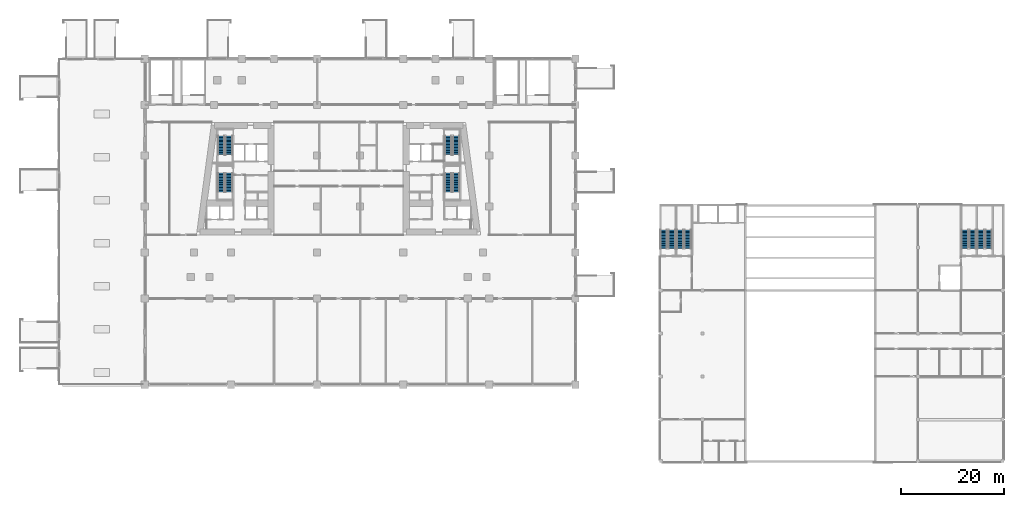
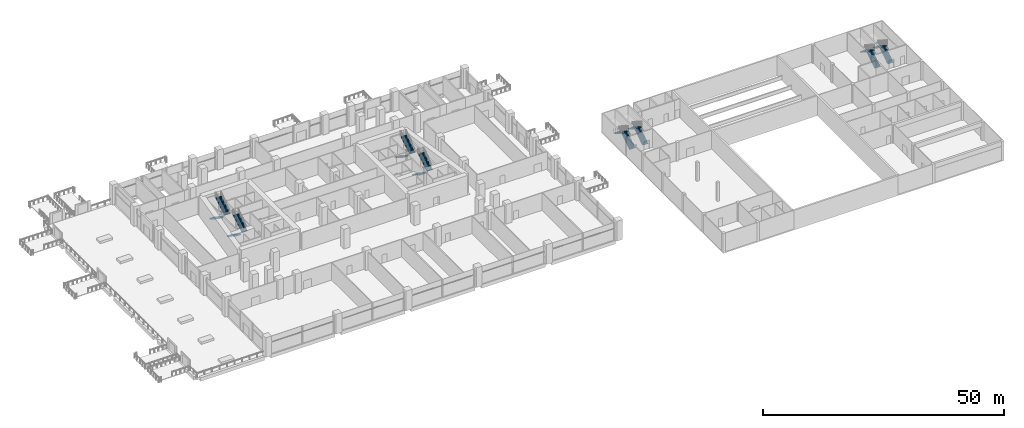
# One storey, part 26 of 33: 16 stair flights, 8 elements without a shape of their own.
"""IFC4 building model written with IfcOpenShell, lengths in metres."""

from ifc_helpers import new_model, si_unit, direction, frame, origin, place, context, subcontext, project, spatial, polyline, outline, extrude, material, type_object, element, aggregate, save


model = new_model("IFC4")

# Units and contexts
model_context = context("Model", 3, precision=1e-05, world=origin(), true_north=direction((0.0, 1.0)))
body_context = subcontext(model_context, "Body", "Model", "MODEL_VIEW")
ifc_project = project(units=[si_unit("LENGTHUNIT", "METRE"), si_unit("AREAUNIT", "SQUARE_METRE"), si_unit("VOLUMEUNIT", "CUBIC_METRE"), si_unit("PLANEANGLEUNIT", "RADIAN"), si_unit("MASSUNIT", "GRAM", prefix="KILO")], contexts=[model_context])

# Site, building, storey
site_placement = place(None, origin())
site = spatial("IfcSite", under=ifc_project, at=site_placement, CompositionType="ELEMENT")
building_placement = place(site_placement, origin())
building = spatial("IfcBuilding", under=site, at=building_placement, Name="Candeia Pilgrim Tower and Theatre", CompositionType="ELEMENT")
storey_placement = place(building_placement, frame((0.0, 0.0, 29.0)))
storey = spatial("IfcBuildingStorey", under=building, at=storey_placement, Name="L04", CompositionType="ELEMENT", Elevation=29.0)

# Stair, stair flights
ifc_material_1 = material(Name="Concrete C40/50", Category="concrete")
stair_type_1 = type_object("IfcStairType", Name="ST-TWR dog-leg escape stair", PredefinedType="HALF_TURN_STAIR", material=ifc_material_1)
stair_1_placement = place(storey_placement, origin())
stair_1 = element("IfcStair", 1, at=stair_1_placement, inside=storey, type_object=stair_type_1, Name="L04 Escape stair ST1", PredefinedType="HALF_TURN_STAIR")
stair_flight_type_1 = type_object("IfcStairFlightType", Name="SFL-RC stair flight", PredefinedType="STRAIGHT", material=ifc_material_1)
stair_flight_1_placement = place(storey_placement, frame((90.47705078125, 122.47509765625, 0.0), z_axis=(0.0, 0.0, 1.0), x_axis=(0.0, -1.0, 0.0)))
stair_flight_1 = element("IfcStairFlight", 2, at=stair_flight_1_placement, type_object=stair_flight_type_1, Name="ST1 flight 1", NumberOfRisers=14, NumberOfTreads=13, PredefinedType="STRAIGHT", RiserHeight=0.178571429, TreadLength=0.28, context=body_context, shape_type="SweptSolid", body=[
    extrude(outline(polyline([(0.0, 0.0), (0.0, 0.178466796875), (0.280029296875, 0.178466796875), (0.280029296875, 0.357177734375), (0.56005859375, 0.357177734375), (0.56005859375, 0.53564453125), (0.840087890625, 0.53564453125), (0.840087890625, 0.71435546875), (1.1201171875, 0.71435546875), (1.1201171875, 0.892822265625), (1.39990234375, 0.892822265625), (1.39990234375, 1.071533203125), (1.679931640625, 1.071533203125), (1.679931640625, 1.25), (1.9599609375, 1.25), (1.9599609375, 1.428466796875), (2.239990234375, 1.428466796875), (2.239990234375, 1.607177734375), (2.52001953125, 1.607177734375), (2.52001953125, 1.78564453125), (2.800048828125, 1.78564453125), (2.800048828125, 1.96435546875), (3.080078125, 1.96435546875), (3.080078125, 2.142822265625), (3.360107421875, 2.142822265625), (3.360107421875, 2.321533203125), (3.639892578125, 2.321533203125), (3.639892578125, 2.5), (3.639892578125, 2.1435546875), (0.27880859375, 0.0), (0.0, 0.0)])), frame((0.0, 0.675048828125, 0.0), z_axis=(0.0, -1.0, 0.0), x_axis=(1.0, 0.0, 0.0)), (0.0, 0.0, 1.0), 1.35009765625),
])
stair_flight_2_placement = place(storey_placement, frame((92.027099609375, 118.8349609375, 2.5), z_axis=(0.0, 0.0, 1.0), x_axis=(0.0, 1.0, 0.0)))
stair_flight_2 = element("IfcStairFlight", 3, at=stair_flight_2_placement, type_object=stair_flight_type_1, Name="ST1 flight 2", NumberOfRisers=14, NumberOfTreads=13, PredefinedType="STRAIGHT", RiserHeight=0.178571429, TreadLength=0.28, context=body_context, shape_type="SweptSolid", body=[
    extrude(outline(polyline([(0.0, 0.0), (0.0, 0.178466796875), (0.280029296875, 0.178466796875), (0.280029296875, 0.357177734375), (0.56005859375, 0.357177734375), (0.56005859375, 0.53564453125), (0.840087890625, 0.53564453125), (0.840087890625, 0.71435546875), (1.1201171875, 0.71435546875), (1.1201171875, 0.892822265625), (1.39990234375, 0.892822265625), (1.39990234375, 1.071533203125), (1.679931640625, 1.071533203125), (1.679931640625, 1.25), (1.9599609375, 1.25), (1.9599609375, 1.428466796875), (2.239990234375, 1.428466796875), (2.239990234375, 1.607177734375), (2.52001953125, 1.607177734375), (2.52001953125, 1.78564453125), (2.800048828125, 1.78564453125), (2.800048828125, 1.96435546875), (3.080078125, 1.96435546875), (3.080078125, 2.142822265625), (3.360107421875, 2.142822265625), (3.360107421875, 2.321533203125), (3.639892578125, 2.321533203125), (3.639892578125, 2.5), (3.639892578125, 2.1435546875), (0.27880859375, 0.0), (0.0, 0.0)])), frame((0.0, 0.675048828125, 0.0), z_axis=(0.0, -1.0, 0.0), x_axis=(1.0, 0.0, 0.0)), (0.0, 0.0, 1.0), 1.35009765625),
])
aggregate(stair_1, [stair_flight_1, stair_flight_2])

stair_2_placement = place(storey_placement, origin())
stair_2 = element("IfcStair", 4, at=stair_2_placement, inside=storey, type_object=stair_type_1, Name="L04 Escape stair ST2", PredefinedType="HALF_TURN_STAIR")
stair_flight_3_placement = place(storey_placement, frame((90.47705078125, 129.72509765625, 0.0), z_axis=(0.0, 0.0, 1.0), x_axis=(0.0, -1.0, 0.0)))
stair_flight_3 = element("IfcStairFlight", 5, at=stair_flight_3_placement, type_object=stair_flight_type_1, Name="ST2 flight 1", NumberOfRisers=14, NumberOfTreads=13, PredefinedType="STRAIGHT", RiserHeight=0.178571429, TreadLength=0.28, context=body_context, shape_type="SweptSolid", body=[
    extrude(outline(polyline([(0.0, 0.0), (0.0, 0.178466796875), (0.280029296875, 0.178466796875), (0.280029296875, 0.357177734375), (0.56005859375, 0.357177734375), (0.56005859375, 0.53564453125), (0.840087890625, 0.53564453125), (0.840087890625, 0.71435546875), (1.1201171875, 0.71435546875), (1.1201171875, 0.892822265625), (1.39990234375, 0.892822265625), (1.39990234375, 1.071533203125), (1.679931640625, 1.071533203125), (1.679931640625, 1.25), (1.9599609375, 1.25), (1.9599609375, 1.428466796875), (2.239990234375, 1.428466796875), (2.239990234375, 1.607177734375), (2.52001953125, 1.607177734375), (2.52001953125, 1.78564453125), (2.800048828125, 1.78564453125), (2.800048828125, 1.96435546875), (3.080078125, 1.96435546875), (3.080078125, 2.142822265625), (3.360107421875, 2.142822265625), (3.360107421875, 2.321533203125), (3.639892578125, 2.321533203125), (3.639892578125, 2.5), (3.639892578125, 2.1435546875), (0.27880859375, 0.0), (0.0, 0.0)])), frame((0.0, 0.675048828125, 0.0), z_axis=(0.0, -1.0, 0.0), x_axis=(1.0, 0.0, 0.0)), (0.0, 0.0, 1.0), 1.35009765625),
])
stair_flight_4_placement = place(storey_placement, frame((92.027099609375, 126.0849609375, 2.5), z_axis=(0.0, 0.0, 1.0), x_axis=(0.0, 1.0, 0.0)))
stair_flight_4 = element("IfcStairFlight", 6, at=stair_flight_4_placement, type_object=stair_flight_type_1, Name="ST2 flight 2", NumberOfRisers=14, NumberOfTreads=13, PredefinedType="STRAIGHT", RiserHeight=0.178571429, TreadLength=0.28, context=body_context, shape_type="SweptSolid", body=[
    extrude(outline(polyline([(0.0, 0.0), (0.0, 0.178466796875), (0.280029296875, 0.178466796875), (0.280029296875, 0.357177734375), (0.56005859375, 0.357177734375), (0.56005859375, 0.53564453125), (0.840087890625, 0.53564453125), (0.840087890625, 0.71435546875), (1.1201171875, 0.71435546875), (1.1201171875, 0.892822265625), (1.39990234375, 0.892822265625), (1.39990234375, 1.071533203125), (1.679931640625, 1.071533203125), (1.679931640625, 1.25), (1.9599609375, 1.25), (1.9599609375, 1.428466796875), (2.239990234375, 1.428466796875), (2.239990234375, 1.607177734375), (2.52001953125, 1.607177734375), (2.52001953125, 1.78564453125), (2.800048828125, 1.78564453125), (2.800048828125, 1.96435546875), (3.080078125, 1.96435546875), (3.080078125, 2.142822265625), (3.360107421875, 2.142822265625), (3.360107421875, 2.321533203125), (3.639892578125, 2.321533203125), (3.639892578125, 2.5), (3.639892578125, 2.1435546875), (0.27880859375, 0.0), (0.0, 0.0)])), frame((0.0, 0.675048828125, 0.0), z_axis=(0.0, -1.0, 0.0), x_axis=(1.0, 0.0, 0.0)), (0.0, 0.0, 1.0), 1.35009765625),
])
aggregate(stair_2, [stair_flight_3, stair_flight_4])

stair_3_placement = place(storey_placement, origin())
stair_3 = element("IfcStair", 7, at=stair_3_placement, inside=storey, type_object=stair_type_1, Name="L04 Escape stair ST3", PredefinedType="HALF_TURN_STAIR")
stair_flight_5_placement = place(storey_placement, frame((134.77294921875, 122.47509765625, 0.0), z_axis=(0.0, 0.0, 1.0), x_axis=(0.0, -1.0, 0.0)))
stair_flight_5 = element("IfcStairFlight", 8, at=stair_flight_5_placement, type_object=stair_flight_type_1, Name="ST3 flight 1", NumberOfRisers=14, NumberOfTreads=13, PredefinedType="STRAIGHT", RiserHeight=0.178571429, TreadLength=0.28, context=body_context, shape_type="SweptSolid", body=[
    extrude(outline(polyline([(0.0, 0.0), (0.0, 0.178466796875), (0.280029296875, 0.178466796875), (0.280029296875, 0.357177734375), (0.56005859375, 0.357177734375), (0.56005859375, 0.53564453125), (0.840087890625, 0.53564453125), (0.840087890625, 0.71435546875), (1.1201171875, 0.71435546875), (1.1201171875, 0.892822265625), (1.39990234375, 0.892822265625), (1.39990234375, 1.071533203125), (1.679931640625, 1.071533203125), (1.679931640625, 1.25), (1.9599609375, 1.25), (1.9599609375, 1.428466796875), (2.239990234375, 1.428466796875), (2.239990234375, 1.607177734375), (2.52001953125, 1.607177734375), (2.52001953125, 1.78564453125), (2.800048828125, 1.78564453125), (2.800048828125, 1.96435546875), (3.080078125, 1.96435546875), (3.080078125, 2.142822265625), (3.360107421875, 2.142822265625), (3.360107421875, 2.321533203125), (3.639892578125, 2.321533203125), (3.639892578125, 2.5), (3.639892578125, 2.1435546875), (0.27880859375, 0.0), (0.0, 0.0)])), frame((0.0, 0.675048828125, 0.0), z_axis=(0.0, -1.0, 0.0), x_axis=(1.0, 0.0, 0.0)), (0.0, 0.0, 1.0), 1.35009765625),
])
stair_flight_6_placement = place(storey_placement, frame((136.322998046875, 118.8349609375, 2.5), z_axis=(0.0, 0.0, 1.0), x_axis=(0.0, 1.0, 0.0)))
stair_flight_6 = element("IfcStairFlight", 9, at=stair_flight_6_placement, type_object=stair_flight_type_1, Name="ST3 flight 2", NumberOfRisers=14, NumberOfTreads=13, PredefinedType="STRAIGHT", RiserHeight=0.178571429, TreadLength=0.28, context=body_context, shape_type="SweptSolid", body=[
    extrude(outline(polyline([(0.0, 0.0), (0.0, 0.178466796875), (0.280029296875, 0.178466796875), (0.280029296875, 0.357177734375), (0.56005859375, 0.357177734375), (0.56005859375, 0.53564453125), (0.840087890625, 0.53564453125), (0.840087890625, 0.71435546875), (1.1201171875, 0.71435546875), (1.1201171875, 0.892822265625), (1.39990234375, 0.892822265625), (1.39990234375, 1.071533203125), (1.679931640625, 1.071533203125), (1.679931640625, 1.25), (1.9599609375, 1.25), (1.9599609375, 1.428466796875), (2.239990234375, 1.428466796875), (2.239990234375, 1.607177734375), (2.52001953125, 1.607177734375), (2.52001953125, 1.78564453125), (2.800048828125, 1.78564453125), (2.800048828125, 1.96435546875), (3.080078125, 1.96435546875), (3.080078125, 2.142822265625), (3.360107421875, 2.142822265625), (3.360107421875, 2.321533203125), (3.639892578125, 2.321533203125), (3.639892578125, 2.5), (3.639892578125, 2.1435546875), (0.27880859375, 0.0), (0.0, 0.0)])), frame((0.0, 0.675048828125, 0.0), z_axis=(0.0, -1.0, 0.0), x_axis=(1.0, 0.0, 0.0)), (0.0, 0.0, 1.0), 1.35009765625),
])
aggregate(stair_3, [stair_flight_5, stair_flight_6])

stair_4_placement = place(storey_placement, origin())
stair_4 = element("IfcStair", 10, at=stair_4_placement, inside=storey, type_object=stair_type_1, Name="L04 Escape stair ST4", PredefinedType="HALF_TURN_STAIR")
stair_flight_7_placement = place(storey_placement, frame((134.77294921875, 129.72509765625, 0.0), z_axis=(0.0, 0.0, 1.0), x_axis=(0.0, -1.0, 0.0)))
stair_flight_7 = element("IfcStairFlight", 11, at=stair_flight_7_placement, type_object=stair_flight_type_1, Name="ST4 flight 1", NumberOfRisers=14, NumberOfTreads=13, PredefinedType="STRAIGHT", RiserHeight=0.178571429, TreadLength=0.28, context=body_context, shape_type="SweptSolid", body=[
    extrude(outline(polyline([(0.0, 0.0), (0.0, 0.178466796875), (0.280029296875, 0.178466796875), (0.280029296875, 0.357177734375), (0.56005859375, 0.357177734375), (0.56005859375, 0.53564453125), (0.840087890625, 0.53564453125), (0.840087890625, 0.71435546875), (1.1201171875, 0.71435546875), (1.1201171875, 0.892822265625), (1.39990234375, 0.892822265625), (1.39990234375, 1.071533203125), (1.679931640625, 1.071533203125), (1.679931640625, 1.25), (1.9599609375, 1.25), (1.9599609375, 1.428466796875), (2.239990234375, 1.428466796875), (2.239990234375, 1.607177734375), (2.52001953125, 1.607177734375), (2.52001953125, 1.78564453125), (2.800048828125, 1.78564453125), (2.800048828125, 1.96435546875), (3.080078125, 1.96435546875), (3.080078125, 2.142822265625), (3.360107421875, 2.142822265625), (3.360107421875, 2.321533203125), (3.639892578125, 2.321533203125), (3.639892578125, 2.5), (3.639892578125, 2.1435546875), (0.27880859375, 0.0), (0.0, 0.0)])), frame((0.0, 0.675048828125, 0.0), z_axis=(0.0, -1.0, 0.0), x_axis=(1.0, 0.0, 0.0)), (0.0, 0.0, 1.0), 1.35009765625),
])
stair_flight_8_placement = place(storey_placement, frame((136.322998046875, 126.0849609375, 2.5), z_axis=(0.0, 0.0, 1.0), x_axis=(0.0, 1.0, 0.0)))
stair_flight_8 = element("IfcStairFlight", 12, at=stair_flight_8_placement, type_object=stair_flight_type_1, Name="ST4 flight 2", NumberOfRisers=14, NumberOfTreads=13, PredefinedType="STRAIGHT", RiserHeight=0.178571429, TreadLength=0.28, context=body_context, shape_type="SweptSolid", body=[
    extrude(outline(polyline([(0.0, 0.0), (0.0, 0.178466796875), (0.280029296875, 0.178466796875), (0.280029296875, 0.357177734375), (0.56005859375, 0.357177734375), (0.56005859375, 0.53564453125), (0.840087890625, 0.53564453125), (0.840087890625, 0.71435546875), (1.1201171875, 0.71435546875), (1.1201171875, 0.892822265625), (1.39990234375, 0.892822265625), (1.39990234375, 1.071533203125), (1.679931640625, 1.071533203125), (1.679931640625, 1.25), (1.9599609375, 1.25), (1.9599609375, 1.428466796875), (2.239990234375, 1.428466796875), (2.239990234375, 1.607177734375), (2.52001953125, 1.607177734375), (2.52001953125, 1.78564453125), (2.800048828125, 1.78564453125), (2.800048828125, 1.96435546875), (3.080078125, 1.96435546875), (3.080078125, 2.142822265625), (3.360107421875, 2.142822265625), (3.360107421875, 2.321533203125), (3.639892578125, 2.321533203125), (3.639892578125, 2.5), (3.639892578125, 2.1435546875), (0.27880859375, 0.0), (0.0, 0.0)])), frame((0.0, 0.675048828125, 0.0), z_axis=(0.0, -1.0, 0.0), x_axis=(1.0, 0.0, 0.0)), (0.0, 0.0, 1.0), 1.35009765625),
])
aggregate(stair_4, [stair_flight_7, stair_flight_8])

ifc_material_2 = material(Name="Concrete C35/45", Category="concrete")
stair_type_2 = type_object("IfcStairType", Name="Theatre stair", PredefinedType="HALF_TURN_STAIR", material=ifc_material_2)
stair_5_placement = place(storey_placement, origin())
stair_5 = element("IfcStair", 13, at=stair_5_placement, inside=storey, type_object=stair_type_2, Name="L04 Theatre stair S1", PredefinedType="HALF_TURN_STAIR")
stair_flight_type_2 = type_object("IfcStairFlightType", Name="Theatre stair flight", PredefinedType="STRAIGHT", material=ifc_material_2)
stair_flight_9_placement = place(storey_placement, frame((178.425048828125, 107.77490234375, 0.0), z_axis=(0.0, 0.0, 1.0), x_axis=(0.0, 1.0, 0.0)))
stair_flight_9 = element("IfcStairFlight", 14, at=stair_flight_9_placement, type_object=stair_flight_type_2, Name="TS1 flight 1", NumberOfRisers=14, NumberOfTreads=13, PredefinedType="STRAIGHT", RiserHeight=0.178571429, TreadLength=0.28, context=body_context, shape_type="SweptSolid", body=[
    extrude(outline(polyline([(0.0, 0.0), (0.0, 0.178466796875), (0.280029296875, 0.178466796875), (0.280029296875, 0.357177734375), (0.56005859375, 0.357177734375), (0.56005859375, 0.53564453125), (0.840087890625, 0.53564453125), (0.840087890625, 0.71435546875), (1.1201171875, 0.71435546875), (1.1201171875, 0.892822265625), (1.39990234375, 0.892822265625), (1.39990234375, 1.071533203125), (1.679931640625, 1.071533203125), (1.679931640625, 1.25), (1.9599609375, 1.25), (1.9599609375, 1.428466796875), (2.239990234375, 1.428466796875), (2.239990234375, 1.607177734375), (2.52001953125, 1.607177734375), (2.52001953125, 1.78564453125), (2.800048828125, 1.78564453125), (2.800048828125, 1.96435546875), (3.080078125, 1.96435546875), (3.080078125, 2.142822265625), (3.360107421875, 2.142822265625), (3.360107421875, 2.321533203125), (3.639892578125, 2.321533203125), (3.639892578125, 2.5), (3.639892578125, 2.1435546875), (0.27880859375, 0.0), (0.0, 0.0)])), frame((0.0, 0.675048828125, 0.0), z_axis=(0.0, -1.0, 0.0), x_axis=(1.0, 0.0, 0.0)), (0.0, 0.0, 1.0), 1.35009765625),
])
stair_flight_10_placement = place(storey_placement, frame((176.800048828125, 111.4150390625, 2.5), z_axis=(0.0, 0.0, 1.0), x_axis=(0.0, -1.0, 0.0)))
stair_flight_10 = element("IfcStairFlight", 15, at=stair_flight_10_placement, type_object=stair_flight_type_2, Name="TS1 flight 2", NumberOfRisers=14, NumberOfTreads=13, PredefinedType="STRAIGHT", RiserHeight=0.178571429, TreadLength=0.28, context=body_context, shape_type="SweptSolid", body=[
    extrude(outline(polyline([(0.0, 0.0), (0.0, 0.178466796875), (0.280029296875, 0.178466796875), (0.280029296875, 0.357177734375), (0.56005859375, 0.357177734375), (0.56005859375, 0.53564453125), (0.840087890625, 0.53564453125), (0.840087890625, 0.71435546875), (1.1201171875, 0.71435546875), (1.1201171875, 0.892822265625), (1.39990234375, 0.892822265625), (1.39990234375, 1.071533203125), (1.679931640625, 1.071533203125), (1.679931640625, 1.25), (1.9599609375, 1.25), (1.9599609375, 1.428466796875), (2.239990234375, 1.428466796875), (2.239990234375, 1.607177734375), (2.52001953125, 1.607177734375), (2.52001953125, 1.78564453125), (2.800048828125, 1.78564453125), (2.800048828125, 1.96435546875), (3.080078125, 1.96435546875), (3.080078125, 2.142822265625), (3.360107421875, 2.142822265625), (3.360107421875, 2.321533203125), (3.639892578125, 2.321533203125), (3.639892578125, 2.5), (3.639892578125, 2.1435546875), (0.27880859375, 0.0), (0.0, 0.0)])), frame((0.0, 0.675048828125, 0.0), z_axis=(0.0, -1.0, 0.0), x_axis=(1.0, 0.0, 0.0)), (0.0, 0.0, 1.0), 1.35009765625),
])
aggregate(stair_5, [stair_flight_9, stair_flight_10])

stair_6_placement = place(storey_placement, origin())
stair_6 = element("IfcStair", 16, at=stair_6_placement, inside=storey, type_object=stair_type_2, Name="L04 Theatre stair S2", PredefinedType="HALF_TURN_STAIR")
stair_flight_11_placement = place(storey_placement, frame((181.52490234375, 107.77490234375, 0.0), z_axis=(0.0, 0.0, 1.0), x_axis=(0.0, 1.0, 0.0)))
stair_flight_11 = element("IfcStairFlight", 17, at=stair_flight_11_placement, type_object=stair_flight_type_2, Name="TS2 flight 1", NumberOfRisers=14, NumberOfTreads=13, PredefinedType="STRAIGHT", RiserHeight=0.178571429, TreadLength=0.28, context=body_context, shape_type="SweptSolid", body=[
    extrude(outline(polyline([(0.0, 0.0), (0.0, 0.178466796875), (0.280029296875, 0.178466796875), (0.280029296875, 0.357177734375), (0.56005859375, 0.357177734375), (0.56005859375, 0.53564453125), (0.840087890625, 0.53564453125), (0.840087890625, 0.71435546875), (1.1201171875, 0.71435546875), (1.1201171875, 0.892822265625), (1.39990234375, 0.892822265625), (1.39990234375, 1.071533203125), (1.679931640625, 1.071533203125), (1.679931640625, 1.25), (1.9599609375, 1.25), (1.9599609375, 1.428466796875), (2.239990234375, 1.428466796875), (2.239990234375, 1.607177734375), (2.52001953125, 1.607177734375), (2.52001953125, 1.78564453125), (2.800048828125, 1.78564453125), (2.800048828125, 1.96435546875), (3.080078125, 1.96435546875), (3.080078125, 2.142822265625), (3.360107421875, 2.142822265625), (3.360107421875, 2.321533203125), (3.639892578125, 2.321533203125), (3.639892578125, 2.5), (3.639892578125, 2.1435546875), (0.27880859375, 0.0), (0.0, 0.0)])), frame((0.0, 0.675048828125, 0.0), z_axis=(0.0, -1.0, 0.0), x_axis=(1.0, 0.0, 0.0)), (0.0, 0.0, 1.0), 1.35009765625),
])
stair_flight_12_placement = place(storey_placement, frame((180.02490234375, 111.4150390625, 2.5), z_axis=(0.0, 0.0, 1.0), x_axis=(0.0, -1.0, 0.0)))
stair_flight_12 = element("IfcStairFlight", 18, at=stair_flight_12_placement, type_object=stair_flight_type_2, Name="TS2 flight 2", NumberOfRisers=14, NumberOfTreads=13, PredefinedType="STRAIGHT", RiserHeight=0.178571429, TreadLength=0.28, context=body_context, shape_type="SweptSolid", body=[
    extrude(outline(polyline([(0.0, 0.0), (0.0, 0.178466796875), (0.280029296875, 0.178466796875), (0.280029296875, 0.357177734375), (0.56005859375, 0.357177734375), (0.56005859375, 0.53564453125), (0.840087890625, 0.53564453125), (0.840087890625, 0.71435546875), (1.1201171875, 0.71435546875), (1.1201171875, 0.892822265625), (1.39990234375, 0.892822265625), (1.39990234375, 1.071533203125), (1.679931640625, 1.071533203125), (1.679931640625, 1.25), (1.9599609375, 1.25), (1.9599609375, 1.428466796875), (2.239990234375, 1.428466796875), (2.239990234375, 1.607177734375), (2.52001953125, 1.607177734375), (2.52001953125, 1.78564453125), (2.800048828125, 1.78564453125), (2.800048828125, 1.96435546875), (3.080078125, 1.96435546875), (3.080078125, 2.142822265625), (3.360107421875, 2.142822265625), (3.360107421875, 2.321533203125), (3.639892578125, 2.321533203125), (3.639892578125, 2.5), (3.639892578125, 2.1435546875), (0.27880859375, 0.0), (0.0, 0.0)])), frame((0.0, 0.675048828125, 0.0), z_axis=(0.0, -1.0, 0.0), x_axis=(1.0, 0.0, 0.0)), (0.0, 0.0, 1.0), 1.35009765625),
])
aggregate(stair_6, [stair_flight_11, stair_flight_12])

stair_7_placement = place(storey_placement, origin())
stair_7 = element("IfcStair", 19, at=stair_7_placement, inside=storey, type_object=stair_type_2, Name="L04 Theatre stair S3", PredefinedType="HALF_TURN_STAIR")
stair_flight_13_placement = place(storey_placement, frame((237.10009765625, 107.77490234375, 0.0), z_axis=(0.0, 0.0, 1.0), x_axis=(0.0, 1.0, 0.0)))
stair_flight_13 = element("IfcStairFlight", 20, at=stair_flight_13_placement, type_object=stair_flight_type_2, Name="TS3 flight 1", NumberOfRisers=14, NumberOfTreads=13, PredefinedType="STRAIGHT", RiserHeight=0.178571429, TreadLength=0.28, context=body_context, shape_type="SweptSolid", body=[
    extrude(outline(polyline([(0.0, 0.0), (0.0, 0.178466796875), (0.280029296875, 0.178466796875), (0.280029296875, 0.357177734375), (0.56005859375, 0.357177734375), (0.56005859375, 0.53564453125), (0.840087890625, 0.53564453125), (0.840087890625, 0.71435546875), (1.1201171875, 0.71435546875), (1.1201171875, 0.892822265625), (1.39990234375, 0.892822265625), (1.39990234375, 1.071533203125), (1.679931640625, 1.071533203125), (1.679931640625, 1.25), (1.9599609375, 1.25), (1.9599609375, 1.428466796875), (2.239990234375, 1.428466796875), (2.239990234375, 1.607177734375), (2.52001953125, 1.607177734375), (2.52001953125, 1.78564453125), (2.800048828125, 1.78564453125), (2.800048828125, 1.96435546875), (3.080078125, 1.96435546875), (3.080078125, 2.142822265625), (3.360107421875, 2.142822265625), (3.360107421875, 2.321533203125), (3.639892578125, 2.321533203125), (3.639892578125, 2.5), (3.639892578125, 2.1435546875), (0.27880859375, 0.0), (0.0, 0.0)])), frame((0.0, 0.675048828125, 0.0), z_axis=(0.0, -1.0, 0.0), x_axis=(1.0, 0.0, 0.0)), (0.0, 0.0, 1.0), 1.35009765625),
])
stair_flight_14_placement = place(storey_placement, frame((235.60009765625, 111.4150390625, 2.5), z_axis=(0.0, 0.0, 1.0), x_axis=(0.0, -1.0, 0.0)))
stair_flight_14 = element("IfcStairFlight", 21, at=stair_flight_14_placement, type_object=stair_flight_type_2, Name="TS3 flight 2", NumberOfRisers=14, NumberOfTreads=13, PredefinedType="STRAIGHT", RiserHeight=0.178571429, TreadLength=0.28, context=body_context, shape_type="SweptSolid", body=[
    extrude(outline(polyline([(0.0, 0.0), (0.0, 0.178466796875), (0.280029296875, 0.178466796875), (0.280029296875, 0.357177734375), (0.56005859375, 0.357177734375), (0.56005859375, 0.53564453125), (0.840087890625, 0.53564453125), (0.840087890625, 0.71435546875), (1.1201171875, 0.71435546875), (1.1201171875, 0.892822265625), (1.39990234375, 0.892822265625), (1.39990234375, 1.071533203125), (1.679931640625, 1.071533203125), (1.679931640625, 1.25), (1.9599609375, 1.25), (1.9599609375, 1.428466796875), (2.239990234375, 1.428466796875), (2.239990234375, 1.607177734375), (2.52001953125, 1.607177734375), (2.52001953125, 1.78564453125), (2.800048828125, 1.78564453125), (2.800048828125, 1.96435546875), (3.080078125, 1.96435546875), (3.080078125, 2.142822265625), (3.360107421875, 2.142822265625), (3.360107421875, 2.321533203125), (3.639892578125, 2.321533203125), (3.639892578125, 2.5), (3.639892578125, 2.1435546875), (0.27880859375, 0.0), (0.0, 0.0)])), frame((0.0, 0.675048828125, 0.0), z_axis=(0.0, -1.0, 0.0), x_axis=(1.0, 0.0, 0.0)), (0.0, 0.0, 1.0), 1.35009765625),
])
aggregate(stair_7, [stair_flight_13, stair_flight_14])

stair_8_placement = place(storey_placement, origin())
stair_8 = element("IfcStair", 22, at=stair_8_placement, inside=storey, type_object=stair_type_2, Name="L04 Theatre stair S4", PredefinedType="HALF_TURN_STAIR")
stair_flight_15_placement = place(storey_placement, frame((240.199951171875, 107.77490234375, 0.0), z_axis=(0.0, 0.0, 1.0), x_axis=(0.0, 1.0, 0.0)))
stair_flight_15 = element("IfcStairFlight", 23, at=stair_flight_15_placement, type_object=stair_flight_type_2, Name="TS4 flight 1", NumberOfRisers=14, NumberOfTreads=13, PredefinedType="STRAIGHT", RiserHeight=0.178571429, TreadLength=0.28, context=body_context, shape_type="SweptSolid", body=[
    extrude(outline(polyline([(0.0, 0.0), (0.0, 0.178466796875), (0.280029296875, 0.178466796875), (0.280029296875, 0.357177734375), (0.56005859375, 0.357177734375), (0.56005859375, 0.53564453125), (0.840087890625, 0.53564453125), (0.840087890625, 0.71435546875), (1.1201171875, 0.71435546875), (1.1201171875, 0.892822265625), (1.39990234375, 0.892822265625), (1.39990234375, 1.071533203125), (1.679931640625, 1.071533203125), (1.679931640625, 1.25), (1.9599609375, 1.25), (1.9599609375, 1.428466796875), (2.239990234375, 1.428466796875), (2.239990234375, 1.607177734375), (2.52001953125, 1.607177734375), (2.52001953125, 1.78564453125), (2.800048828125, 1.78564453125), (2.800048828125, 1.96435546875), (3.080078125, 1.96435546875), (3.080078125, 2.142822265625), (3.360107421875, 2.142822265625), (3.360107421875, 2.321533203125), (3.639892578125, 2.321533203125), (3.639892578125, 2.5), (3.639892578125, 2.1435546875), (0.27880859375, 0.0), (0.0, 0.0)])), frame((0.0, 0.675048828125, 0.0), z_axis=(0.0, -1.0, 0.0), x_axis=(1.0, 0.0, 0.0)), (0.0, 0.0, 1.0), 1.35009765625),
])
stair_flight_16_placement = place(storey_placement, frame((238.699951171875, 111.4150390625, 2.5), z_axis=(0.0, 0.0, 1.0), x_axis=(0.0, -1.0, 0.0)))
stair_flight_16 = element("IfcStairFlight", 24, at=stair_flight_16_placement, type_object=stair_flight_type_2, Name="TS4 flight 2", NumberOfRisers=14, NumberOfTreads=13, PredefinedType="STRAIGHT", RiserHeight=0.178571429, TreadLength=0.28, context=body_context, shape_type="SweptSolid", body=[
    extrude(outline(polyline([(0.0, 0.0), (0.0, 0.178466796875), (0.280029296875, 0.178466796875), (0.280029296875, 0.357177734375), (0.56005859375, 0.357177734375), (0.56005859375, 0.53564453125), (0.840087890625, 0.53564453125), (0.840087890625, 0.71435546875), (1.1201171875, 0.71435546875), (1.1201171875, 0.892822265625), (1.39990234375, 0.892822265625), (1.39990234375, 1.071533203125), (1.679931640625, 1.071533203125), (1.679931640625, 1.25), (1.9599609375, 1.25), (1.9599609375, 1.428466796875), (2.239990234375, 1.428466796875), (2.239990234375, 1.607177734375), (2.52001953125, 1.607177734375), (2.52001953125, 1.78564453125), (2.800048828125, 1.78564453125), (2.800048828125, 1.96435546875), (3.080078125, 1.96435546875), (3.080078125, 2.142822265625), (3.360107421875, 2.142822265625), (3.360107421875, 2.321533203125), (3.639892578125, 2.321533203125), (3.639892578125, 2.5), (3.639892578125, 2.1435546875), (0.27880859375, 0.0), (0.0, 0.0)])), frame((0.0, 0.675048828125, 0.0), z_axis=(0.0, -1.0, 0.0), x_axis=(1.0, 0.0, 0.0)), (0.0, 0.0, 1.0), 1.35009765625),
])
aggregate(stair_8, [stair_flight_15, stair_flight_16])

save(model, "model.ifc")
